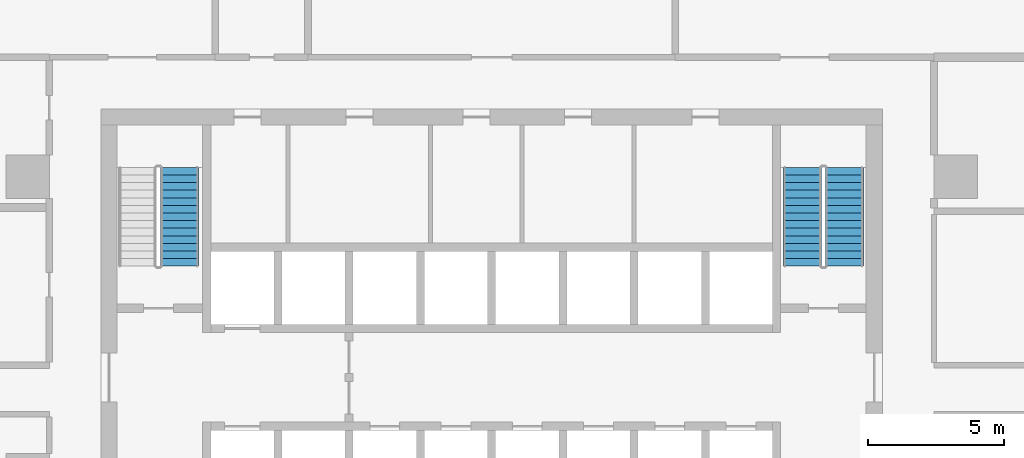
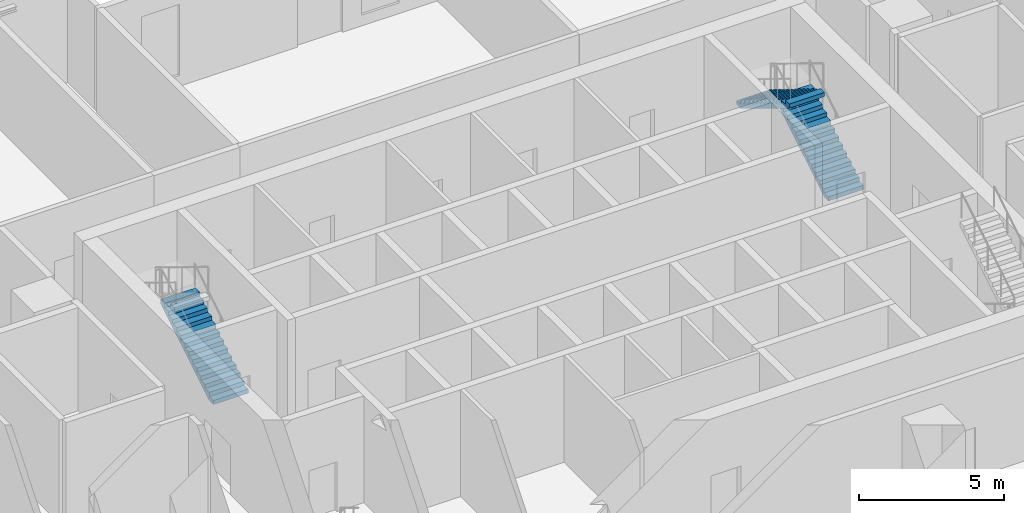
# One storey, part 11 of 14: 3 stair flights, 2 elements without a shape of their own.
"""IFC4 building model written with IfcOpenShell, lengths in metres."""

from ifc_helpers import new_model, si_unit, direction, frame, origin, place, context, subcontext, project, spatial, polyline, outline, extrude, material, type_object, element, aggregate, save


model = new_model("IFC4")

# Units and contexts
model_context = context("Model", 3, precision=1e-05, world=origin(), true_north=direction((0.0, 1.0)))
body_context = subcontext(model_context, "Body", "Model", "MODEL_VIEW")
ifc_project = project(units=[si_unit("LENGTHUNIT", "METRE"), si_unit("AREAUNIT", "SQUARE_METRE"), si_unit("VOLUMEUNIT", "CUBIC_METRE"), si_unit("PLANEANGLEUNIT", "RADIAN"), si_unit("MASSUNIT", "GRAM", prefix="KILO")], contexts=[model_context])

# Site, building, storey
site_placement = place(None, origin())
site = spatial("IfcSite", under=ifc_project, at=site_placement, CompositionType="ELEMENT")
building_placement = place(site_placement, origin())
building = spatial("IfcBuilding", under=site, at=building_placement, Name="Mopane Tessera Tower", CompositionType="ELEMENT")
storey_placement = place(building_placement, frame((0.0, 0.0, 55.0)))
storey = spatial("IfcBuildingStorey", under=building, at=storey_placement, Name="L10", CompositionType="ELEMENT", Elevation=55.0)

# Stair, stair flight
ifc_material_1 = material(Name="Concrete C50/60", Category="concrete")
stair_type = type_object("IfcStairType", Name="Escape stair 1400 mm, riser 171 mm", PredefinedType="HALF_TURN_STAIR", material=ifc_material_1)
stair_1_placement = place(storey_placement, origin())
stair_1 = element("IfcStair", 1, at=stair_1_placement, inside=storey, type_object=stair_type, Name="L10 Escape stair north-west", PredefinedType="HALF_TURN_STAIR")
ifc_material_2 = material(Name="Concrete C50/60", Category="concrete")
stair_flight_type = type_object("IfcStairFlightType", Name="Escape stair flight 1400 mm", PredefinedType="STRAIGHT", material=ifc_material_2)
stair_flight_1_placement = place(storey_placement, frame((-11.5, 7.699951171875, 0.0), z_axis=(0.0, 0.0, 1.0), x_axis=(0.0, 1.0, 0.0)))
stair_flight_1 = element("IfcStairFlight", 2, at=stair_flight_1_placement, type_object=stair_flight_type, Name="ST2 flight 1", NumberOfRisers=14, NumberOfTreads=13, PredefinedType="STRAIGHT", RiserHeight=0.171428571, TreadLength=0.28, context=body_context, shape_type="SweptSolid", body=[
    extrude(outline(polyline([(0.0, 0.0), (0.0, 0.17138671875), (0.280029296875, 0.17138671875), (0.280029296875, 0.3427734375), (0.56005859375, 0.3427734375), (0.56005859375, 0.514404296875), (0.840087890625, 0.514404296875), (0.840087890625, 0.685791015625), (1.1201171875, 0.685791015625), (1.1201171875, 0.857177734375), (1.39990234375, 0.857177734375), (1.39990234375, 1.028564453125), (1.679931640625, 1.028564453125), (1.679931640625, 1.199951171875), (1.9599609375, 1.199951171875), (1.9599609375, 1.371337890625), (2.239990234375, 1.371337890625), (2.239990234375, 1.54296875), (2.52001953125, 1.54296875), (2.52001953125, 1.71435546875), (2.800048828125, 1.71435546875), (2.800048828125, 1.8857421875), (3.080078125, 1.8857421875), (3.080078125, 2.05712890625), (3.360107421875, 2.05712890625), (3.360107421875, 2.228515625), (3.639892578125, 2.228515625), (3.639892578125, 2.39990234375), (3.639892578125, 2.052734375), (0.287109375, 0.0), (0.0, 0.0)])), frame((0.0, 0.699951171875, 0.0), z_axis=(0.0, -1.0, 0.0), x_axis=(1.0, 0.0, 0.0)), (0.0, 0.0, 1.0), 1.39990234375),
])
aggregate(stair_1, [stair_flight_1])

# Stair, stair flights
stair_2_placement = place(storey_placement, origin())
stair_2 = element("IfcStair", 3, at=stair_2_placement, inside=storey, type_object=stair_type, Name="L10 Escape stair north-east", PredefinedType="HALF_TURN_STAIR")
stair_flight_2_placement = place(storey_placement, frame((13.0, 7.699951171875, 0.0), z_axis=(0.0, 0.0, 1.0), x_axis=(0.0, 1.0, 0.0)))
stair_flight_2 = element("IfcStairFlight", 4, at=stair_flight_2_placement, type_object=stair_flight_type, Name="ST4 flight 1", NumberOfRisers=14, NumberOfTreads=13, PredefinedType="STRAIGHT", RiserHeight=0.171428571, TreadLength=0.28, context=body_context, shape_type="SweptSolid", body=[
    extrude(outline(polyline([(0.0, 0.0), (0.0, 0.17138671875), (0.280029296875, 0.17138671875), (0.280029296875, 0.3427734375), (0.56005859375, 0.3427734375), (0.56005859375, 0.514404296875), (0.840087890625, 0.514404296875), (0.840087890625, 0.685791015625), (1.1201171875, 0.685791015625), (1.1201171875, 0.857177734375), (1.39990234375, 0.857177734375), (1.39990234375, 1.028564453125), (1.679931640625, 1.028564453125), (1.679931640625, 1.199951171875), (1.9599609375, 1.199951171875), (1.9599609375, 1.371337890625), (2.239990234375, 1.371337890625), (2.239990234375, 1.54296875), (2.52001953125, 1.54296875), (2.52001953125, 1.71435546875), (2.800048828125, 1.71435546875), (2.800048828125, 1.8857421875), (3.080078125, 1.8857421875), (3.080078125, 2.05712890625), (3.360107421875, 2.05712890625), (3.360107421875, 2.228515625), (3.639892578125, 2.228515625), (3.639892578125, 2.39990234375), (3.639892578125, 2.052734375), (0.287109375, 0.0), (0.0, 0.0)])), frame((0.0, 0.699951171875, 0.0), z_axis=(0.0, -1.0, 0.0), x_axis=(1.0, 0.0, 0.0)), (0.0, 0.0, 1.0), 1.39990234375),
])
stair_flight_3_placement = place(storey_placement, frame((11.449951171875, 11.340087890625, 2.39990234375), z_axis=(0.0, 0.0, 1.0), x_axis=(0.0, -1.0, 0.0)))
stair_flight_3 = element("IfcStairFlight", 5, at=stair_flight_3_placement, type_object=stair_flight_type, Name="ST4 flight 2", NumberOfRisers=14, NumberOfTreads=13, PredefinedType="STRAIGHT", RiserHeight=0.171428571, TreadLength=0.28, context=body_context, shape_type="SweptSolid", body=[
    extrude(outline(polyline([(0.0, 0.0), (0.0, 0.17138671875), (0.280029296875, 0.17138671875), (0.280029296875, 0.3427734375), (0.56005859375, 0.3427734375), (0.56005859375, 0.514404296875), (0.840087890625, 0.514404296875), (0.840087890625, 0.685791015625), (1.1201171875, 0.685791015625), (1.1201171875, 0.857177734375), (1.39990234375, 0.857177734375), (1.39990234375, 1.028564453125), (1.679931640625, 1.028564453125), (1.679931640625, 1.199951171875), (1.9599609375, 1.199951171875), (1.9599609375, 1.371337890625), (2.239990234375, 1.371337890625), (2.239990234375, 1.54296875), (2.52001953125, 1.54296875), (2.52001953125, 1.71435546875), (2.800048828125, 1.71435546875), (2.800048828125, 1.8857421875), (3.080078125, 1.8857421875), (3.080078125, 2.05712890625), (3.360107421875, 2.05712890625), (3.360107421875, 2.228515625), (3.639892578125, 2.228515625), (3.639892578125, 2.39990234375), (3.639892578125, 2.052734375), (0.287109375, 0.0), (0.0, 0.0)])), frame((0.0, 0.699951171875, 0.0), z_axis=(0.0, -1.0, 0.0), x_axis=(1.0, 0.0, 0.0)), (0.0, 0.0, 1.0), 1.39990234375),
])
aggregate(stair_2, [stair_flight_2, stair_flight_3])

save(model, "model.ifc")
